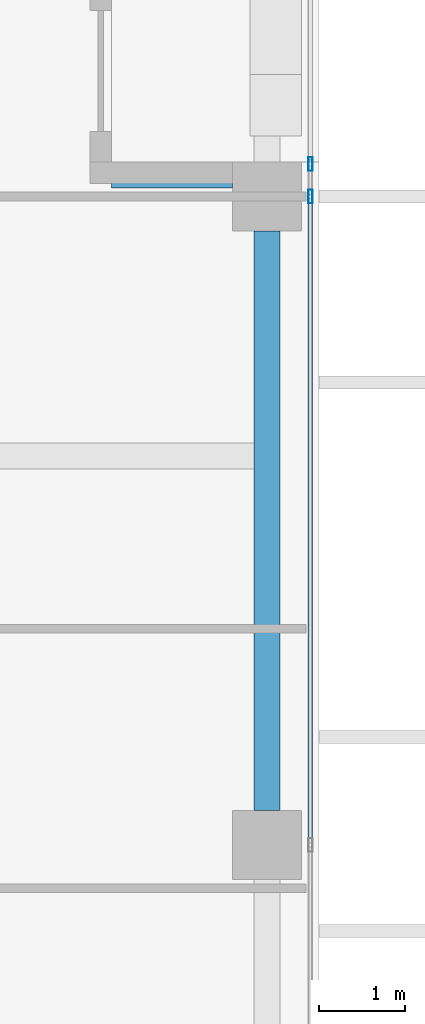
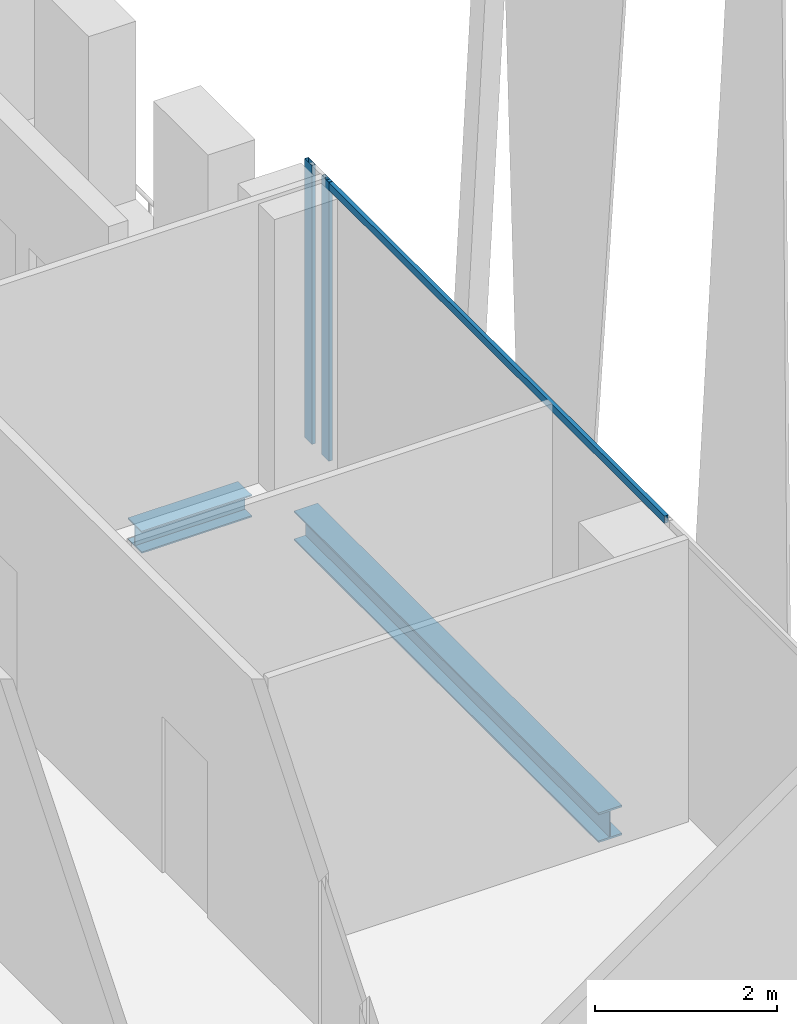
# One storey, part 12 of 33: 3 members, 2 beams, 1 element without a shape of its own.
"""IFC4 building model written with IfcOpenShell, lengths in metres."""

from ifc_helpers import new_model, si_unit, direction, frame, origin, origin_2d, place, context, subcontext, project, spatial, hollow_rectangle, i_section, extrude, source, transform, mapped, material, material_profile, profile_set, type_object, element, aggregate, save


model = new_model("IFC4")

# Units and contexts
model_context = context("Model", 3, precision=1e-05, world=origin(), true_north=direction((0.0, 1.0)))
body_context = subcontext(model_context, "Body", "Model", "MODEL_VIEW")
ifc_project = project(units=[si_unit("LENGTHUNIT", "METRE"), si_unit("AREAUNIT", "SQUARE_METRE"), si_unit("VOLUMEUNIT", "CUBIC_METRE"), si_unit("PLANEANGLEUNIT", "RADIAN"), si_unit("MASSUNIT", "GRAM", prefix="KILO")], contexts=[model_context])

# Site, building, storey
site_placement = place(None, origin())
site = spatial("IfcSite", under=ifc_project, at=site_placement, CompositionType="ELEMENT")
building_placement = place(site_placement, origin())
building = spatial("IfcBuilding", under=site, at=building_placement, Name="Khomas Fold Tower", CompositionType="ELEMENT")
storey_placement = place(building_placement, frame((0.0, 0.0, 294.199951171875)))
storey = spatial("IfcBuildingStorey", under=building, at=storey_placement, Name="L66", CompositionType="ELEMENT", Elevation=294.199951171875)

# Beams
ifc_material_1 = material(Name="Steel S355", Category="steel")
ifc_material_profile_1 = material_profile(ifc_material_1, i_section(OverallWidth=0.300048828125, OverallDepth=0.39990234375, WebThickness=0.013427734375, FlangeThickness=0.02392578125, at=origin_2d()), Name="HE 400 B")
ifc_profile_set_1 = profile_set([ifc_material_profile_1], Name="Steel S355")
beam_type_1 = type_object("IfcBeamType", Name="HE 400 B spandrel SB5", PredefinedType="SPANDREL", material=ifc_profile_set_1)
shared_shape_1 = source(origin(), body_context, "Body", "SweptSolid", [
    extrude(i_section(OverallWidth=0.300048828125, OverallDepth=0.39990234375, WebThickness=0.013427734375, FlangeThickness=0.02392578125, at=origin_2d()), origin(), (0.0, 0.0, 1.0), 6.7001953125),
])
beam_1_placement = place(storey_placement, frame((47.39990234375, 27.39990234375, -0.449951171875), z_axis=(0.0, 1.0, 0.0), x_axis=(-1.0, 0.0, 0.0)))
element("IfcBeam", 1, at=beam_1_placement, inside=storey, type_object=beam_type_1, Name="SB5", PredefinedType="SPANDREL", context=body_context, shape_type="MappedRepresentation", body=[
    mapped(shared_shape_1, transform((0.0, 0.0, 0.0))),
])
ifc_material_2 = material(Name="Steel S355", Category="steel")
ifc_material_profile_2 = material_profile(ifc_material_2, i_section(OverallWidth=0.300048828125, OverallDepth=0.300048828125, WebThickness=0.010986328125, FlangeThickness=0.01904296875, at=origin_2d()), Name="HE 300 B")
ifc_profile_set_2 = profile_set([ifc_material_profile_2], Name="Steel S355")
beam_type_2 = type_object("IfcBeamType", Name="HE 300 B beam BB1", PredefinedType="BEAM", material=ifc_profile_set_2)
shared_shape_2 = source(origin(), body_context, "Body", "SweptSolid", [
    extrude(i_section(OverallWidth=0.300048828125, OverallDepth=0.300048828125, WebThickness=0.010986328125, FlangeThickness=0.01904296875, at=origin_2d()), origin(), (0.0, 0.0, 1.0), 1.39990234375),
])
beam_2_placement = place(storey_placement, frame((45.60009765625, 34.75, -0.39990234375), z_axis=(1.0, 0.0, 0.0), x_axis=(0.0, 1.0, 0.0)))
element("IfcBeam", 2, at=beam_2_placement, inside=storey, type_object=beam_type_2, Name="BB1", PredefinedType="BEAM", context=body_context, shape_type="MappedRepresentation", body=[
    mapped(shared_shape_2, transform((0.0, 0.0, 0.0))),
])

# Curtain wall, members
ifc_material_3 = material(Name="Aluminium framed double glazing", Category="aluminium")
curtain_wall_type = type_object("IfcCurtainWallType", Name="SK-Unitised clear-glass wall, upper floors CW3", PredefinedType="NOTDEFINED", material=ifc_material_3)
curtain_wall_placement = place(storey_placement, origin())
curtain_wall = element("IfcCurtainWall", 3, at=curtain_wall_placement, inside=storey, type_object=curtain_wall_type, Name="CW3 run L66 03-0", PredefinedType="NOTDEFINED")
ifc_material_4 = material(Name="Aluminium", Category="aluminium")
ifc_material_profile_3 = material_profile(ifc_material_4, hollow_rectangle(XDim=0.050048828125, YDim=0.159912109375, WallThickness=0.00390625, at=origin_2d()), Name="SK-Unitised clear-glass wall, upper floors mullion CW3-M")
ifc_profile_set_3 = profile_set([ifc_material_profile_3], Name="Aluminium")
member_type_1 = type_object("IfcMemberType", Name="SK-Unitised clear-glass wall, upper floors mullion CW3-M", PredefinedType="MULLION", material=ifc_profile_set_3)
shared_shape_3 = source(origin(), body_context, "Body", "SweptSolid", [
    extrude(hollow_rectangle(XDim=0.050048828125, YDim=0.159912109375, WallThickness=0.00390625, at=origin_2d()), origin(), (0.0, 0.0, 1.0), 3.75),
])
member_1_placement = place(storey_placement, frame((47.89990234375, 34.5, 0.0), z_axis=(0.0, 0.0, 1.0), x_axis=(-1.0, 0.0, 0.0)))
member_1 = element("IfcMember", 4, at=member_1_placement, type_object=member_type_1, Name="CW3 mullion 5", PredefinedType="MULLION", context=body_context, shape_type="MappedRepresentation", body=[
    mapped(shared_shape_3, transform((0.0, 0.0, 0.0))),
])
member_2_placement = place(storey_placement, frame((47.89990234375, 34.875, 0.0), z_axis=(0.0, 0.0, 1.0), x_axis=(-1.0, 0.0, 0.0)))
member_2 = element("IfcMember", 5, at=member_2_placement, type_object=member_type_1, Name="CW3 mullion 6", PredefinedType="MULLION", context=body_context, shape_type="MappedRepresentation", body=[
    mapped(shared_shape_3, transform((0.0, 0.0, 0.0))),
])
ifc_material_5 = material(Name="Aluminium", Category="aluminium")
ifc_material_profile_4 = material_profile(ifc_material_5, hollow_rectangle(XDim=0.050048828125, YDim=0.10009765625, WallThickness=0.00390625, at=origin_2d()), Name="SK-Unitised clear-glass wall, upper floors transom CW3-T")
ifc_profile_set_4 = profile_set([ifc_material_profile_4], Name="Aluminium")
member_type_2 = type_object("IfcMemberType", Name="SK-Unitised clear-glass wall, upper floors transom CW3-T", PredefinedType="USERDEFINED", material=ifc_profile_set_4)
shared_shape_4 = source(origin(), body_context, "Body", "SweptSolid", [
    extrude(hollow_rectangle(XDim=0.050048828125, YDim=0.10009765625, WallThickness=0.00390625, at=origin_2d()), origin(), (0.0, 0.0, 1.0), 7.4501953125),
])
member_3_placement = place(storey_placement, frame((47.89990234375, 27.02490234375, 3.699951171875), z_axis=(0.0, 1.0, 0.0), x_axis=(-1.0, 0.0, 0.0)))
member_3 = element("IfcMember", 6, at=member_3_placement, type_object=member_type_2, Name="CW3 transom 4", ObjectType="TRANSOM", PredefinedType="USERDEFINED", context=body_context, shape_type="MappedRepresentation", body=[
    mapped(shared_shape_4, transform((0.0, 0.0, 0.0))),
])
aggregate(curtain_wall, [member_1, member_2, member_3])

save(model, "model.ifc")
